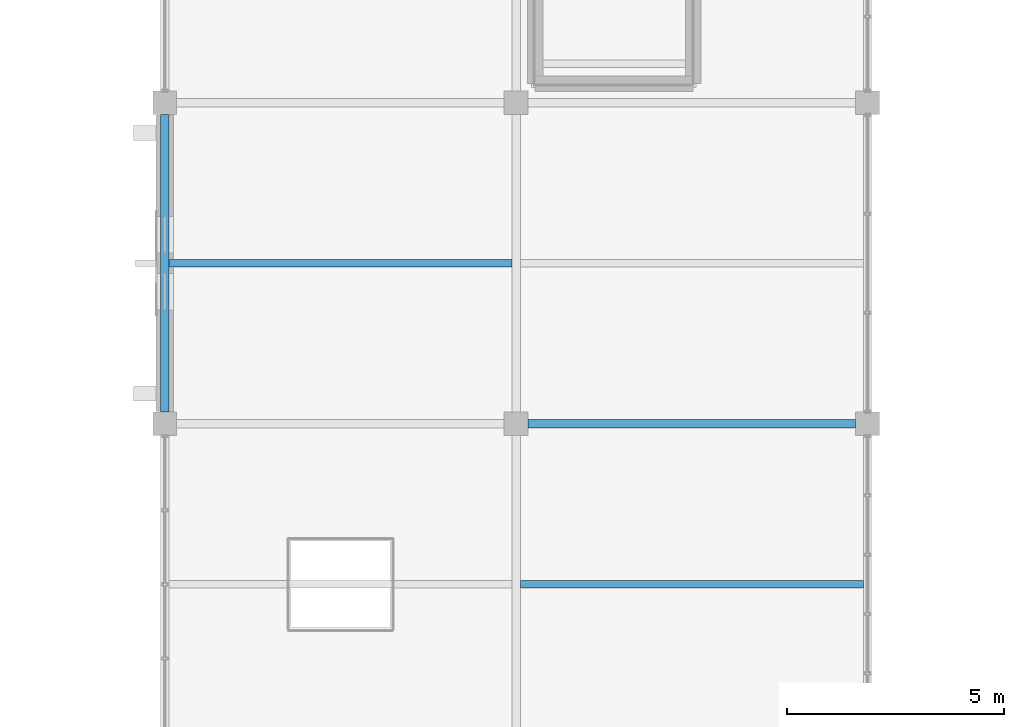
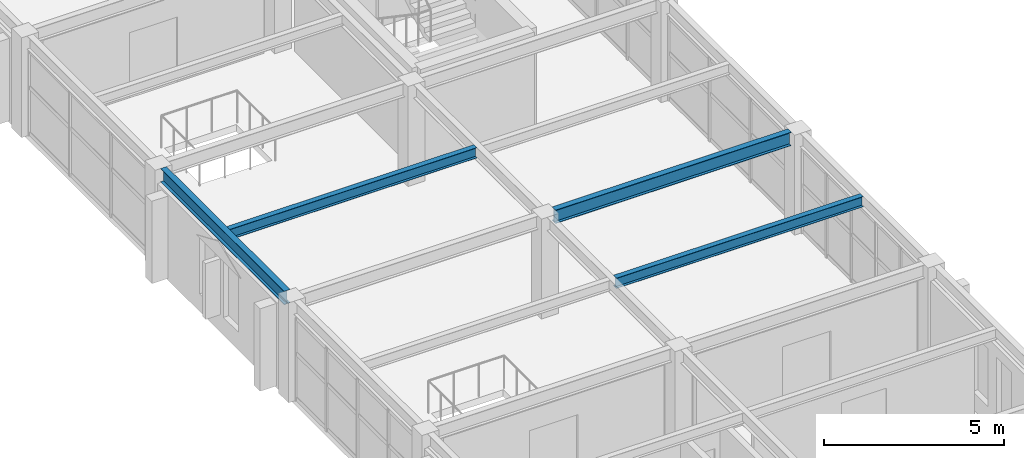
# One storey, part 12 of 93: 4 beams.
"""IFC4 building model written with IfcOpenShell, lengths in metres."""

from ifc_helpers import new_model, si_unit, direction, frame, origin, origin_2d, place, context, subcontext, project, spatial, i_section, extrude, material, material_profile, profile_set, type_object, element, save


model = new_model("IFC4")

# Units and contexts
model_context = context("Model", 3, precision=1e-05, world=origin(), true_north=direction((0.0, 1.0)))
body_context = subcontext(model_context, "Body", "Model", "MODEL_VIEW")
ifc_project = project(units=[si_unit("LENGTHUNIT", "METRE"), si_unit("AREAUNIT", "SQUARE_METRE"), si_unit("VOLUMEUNIT", "CUBIC_METRE"), si_unit("PLANEANGLEUNIT", "RADIAN"), si_unit("MASSUNIT", "GRAM", prefix="KILO")], contexts=[model_context])

# Site, building, storey
site_placement = place(None, origin())
site = spatial("IfcSite", under=ifc_project, at=site_placement, CompositionType="ELEMENT")
building_placement = place(site_placement, origin())
building = spatial("IfcBuilding", under=site, at=building_placement, Name="Cimatlan Art Gallery", CompositionType="ELEMENT")
storey_placement = place(building_placement, frame((0.0, 0.0, 13.800048828125)))
storey = spatial("IfcBuildingStorey", under=building, at=storey_placement, Name="L03", CompositionType="ELEMENT", Elevation=13.800048828125)

# Beams
ifc_material = material(Name="Steel ASTM A992 Grade 50", Category="steel")
ifc_material_profile_1 = material_profile(ifc_material, i_section(OverallWidth=0.1708984375, OverallDepth=0.35107421875, WebThickness=0.0068359375, FlangeThickness=0.009765625, at=origin_2d()), Name="W14X30")
ifc_profile_set_1 = profile_set([ifc_material_profile_1], Name="Steel ASTM A992 Grade 50")
beam_type_1 = type_object("IfcBeamType", Name="BM-STL-W14X30", PredefinedType="JOIST", material=ifc_profile_set_1)
for number, where, z_axis, x_axis, name in (
    (1, (34.49560546875, 49.800048828125, 3.204345703125), (1.0, 0.0, 0.0), (0.0, 1.0, 0.0), "JST-L03-04-06"),
    (2, (42.595458984375, 42.39990234375, 3.204345703125), (1.0, 0.0, 0.0), (0.0, 1.0, 0.0), "JST-L03-05-05"),
):
    element("IfcBeam", number, at=place(storey_placement, frame(where, z_axis=z_axis, x_axis=x_axis)), inside=storey, type_object=beam_type_1, Name=name, PredefinedType="JOIST", context=body_context, shape_type="SweptSolid", body=[
        extrude(i_section(OverallWidth=0.1708984375, OverallDepth=0.35107421875, WebThickness=0.0068359375, FlangeThickness=0.009765625, at=origin_2d()), origin(), (0.0, 0.0, 1.0), 7.908935546875),
    ])
ifc_material_profile_2 = material_profile(ifc_material, i_section(OverallWidth=0.19091796875, OverallDepth=0.45703125, WebThickness=0.009033203125, FlangeThickness=0.014404296875, at=origin_2d()), Name="W18X50")
ifc_profile_set_2 = profile_set([ifc_material_profile_2], Name="Steel ASTM A992 Grade 50")
beam_type_2 = type_object("IfcBeamType", Name="BM-STL-W18X50", PredefinedType="BEAM", material=ifc_profile_set_2)
beam_1_placement = place(storey_placement, frame((34.39990234375, 46.375, 3.1513671875), z_axis=(0.0, 1.0, 0.0), x_axis=(-1.0, 0.0, 0.0)))
element("IfcBeam", 3, at=beam_1_placement, inside=storey, type_object=beam_type_2, Name="BM-Y-L03-04-06", PredefinedType="BEAM", context=body_context, shape_type="SweptSolid", body=[
    extrude(i_section(OverallWidth=0.19091796875, OverallDepth=0.45703125, WebThickness=0.009033203125, FlangeThickness=0.014404296875, at=origin_2d()), origin(), (0.0, 0.0, 1.0), 6.85009765625),
])
beam_2_placement = place(storey_placement, frame((42.77490234375, 46.10009765625, 3.1513671875), z_axis=(1.0, 0.0, 0.0), x_axis=(0.0, 1.0, 0.0)))
element("IfcBeam", 4, at=beam_2_placement, inside=storey, type_object=beam_type_2, Name="BM-X-L03-05-06", PredefinedType="BEAM", context=body_context, shape_type="SweptSolid", body=[
    extrude(i_section(OverallWidth=0.19091796875, OverallDepth=0.45703125, WebThickness=0.009033203125, FlangeThickness=0.014404296875, at=origin_2d()), origin(), (0.0, 0.0, 1.0), 7.550048828125),
])

save(model, "model.ifc")
